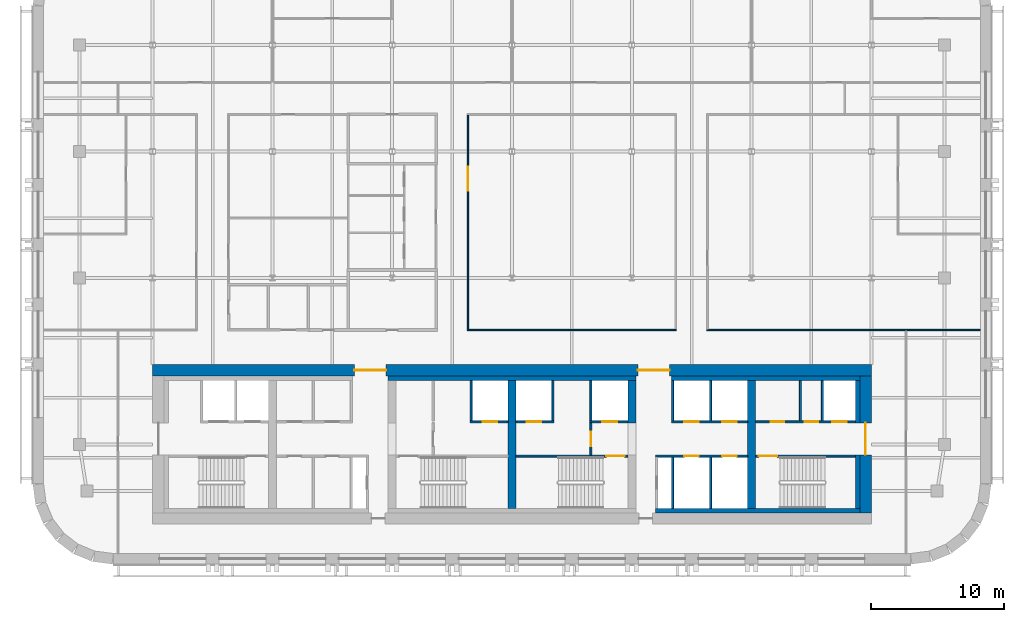
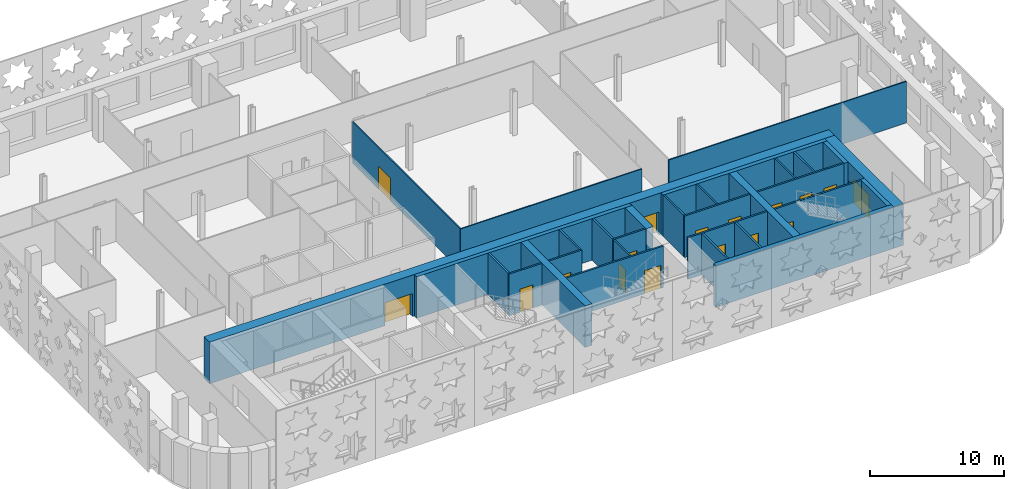
# One storey, part 5 of 13: 31 walls, 17 doors, 17 openings.
"""IFC4 building model written with IfcOpenShell, lengths in metres."""

from ifc_helpers import new_model, si_unit, direction, frame, frame_2d, origin, place, context, subcontext, project, spatial, rectangle, extrude, material, layer, layer_set, type_object, element, fill, save


model = new_model("IFC4")

# Units and contexts
model_context = context("Model", 3, precision=1e-05, world=origin(), true_north=direction((0.0, 1.0)))
body_context = subcontext(model_context, "Body", "Model", "MODEL_VIEW")
ifc_project = project(units=[si_unit("LENGTHUNIT", "METRE"), si_unit("AREAUNIT", "SQUARE_METRE"), si_unit("VOLUMEUNIT", "CUBIC_METRE"), si_unit("PLANEANGLEUNIT", "RADIAN"), si_unit("MASSUNIT", "GRAM", prefix="KILO")], contexts=[model_context])

# Site, building, storey
site_placement = place(None, origin())
site = spatial("IfcSite", under=ifc_project, at=site_placement, CompositionType="ELEMENT")
building_placement = place(site_placement, origin())
building = spatial("IfcBuilding", under=site, at=building_placement, Name="Zellij Exchange Tower", CompositionType="ELEMENT")
storey_placement = place(building_placement, frame((0.0, 0.0, 172.5)))
storey = spatial("IfcBuildingStorey", under=building, at=storey_placement, Name="L39", CompositionType="ELEMENT", Elevation=172.5)

# Walls
ifc_material_1 = material(Name="Concrete C60/75", Category="concrete")
ifc_layer_1 = layer(ifc_material_1, 0.60009765625)
ifc_layer_set_1 = layer_set([ifc_layer_1], Name="Concrete C60/75")
wall_type_1 = type_object("IfcWallType", Name="CORE-CW 600 C60/75", PredefinedType="SHEAR", material=ifc_layer_set_1)
wall_1_placement = place(storey_placement, frame((0.0, -12.800048828125, 0.0), z_axis=(0.0, 0.0, 1.0), x_axis=(0.0, 1.0, 0.0)))
element("IfcWall", 1, at=wall_1_placement, inside=storey, type_object=wall_type_1, Name="Core cross wall x 0 L39", PredefinedType="SHEAR", context=body_context, shape_type="SweptSolid", body=[
    extrude(rectangle(XDim=9.60009765625, YDim=0.60009765625, at=frame_2d((4.800048828125, 0.0))), origin(), (0.0, 0.0, 1.0), 3.800048828125),
])
wall_2_placement = place(storey_placement, frame((9.0, -6.375, 0.0), z_axis=(0.0, 0.0, 1.0), x_axis=(0.0, 1.0, 0.0)))
element("IfcWall", 2, at=wall_2_placement, inside=storey, type_object=wall_type_1, Name="Core cross wall pier x 9 b L39", PredefinedType="SHEAR", context=body_context, shape_type="SweptSolid", body=[
    extrude(rectangle(XDim=3.175048828125, YDim=0.60009765625, at=frame_2d((1.58740234375, 0.0))), origin(), (0.0, 0.0, 1.0), 3.800048828125),
])
wall_3_placement = place(storey_placement, frame((18.0, -12.800048828125, 0.0), z_axis=(0.0, 0.0, 1.0), x_axis=(0.0, 1.0, 0.0)))
element("IfcWall", 3, at=wall_3_placement, inside=storey, type_object=wall_type_1, Name="Core cross wall x 18 L39", PredefinedType="SHEAR", context=body_context, shape_type="SweptSolid", body=[
    extrude(rectangle(XDim=9.60009765625, YDim=0.60009765625, at=frame_2d((4.800048828125, 0.0))), origin(), (0.0, 0.0, 1.0), 3.800048828125),
])
ifc_material_2 = material(Name="Concrete C30/37", Category="concrete")
ifc_layer_2 = layer(ifc_material_2, 0.35009765625)
ifc_layer_set_2 = layer_set([ifc_layer_2], Name="Concrete C30/37")
wall_type_2 = type_object("IfcWallType", Name="CORE-LW 350 C30/37", PredefinedType="SHEAR", material=ifc_layer_set_2)
wall_4_placement = place(storey_placement, frame((-9.300048828125, -3.02490234375, 0.0), z_axis=(0.0, 0.0, 1.0), x_axis=(1.0, 0.0, 0.0)))
element("IfcWall", 4, at=wall_4_placement, inside=storey, type_object=wall_type_2, Name="Core wall lining front.1 L39", PredefinedType="SHEAR", context=body_context, shape_type="SweptSolid", body=[
    extrude(rectangle(XDim=18.60009765625, YDim=0.35009765625, at=frame_2d((9.300048828125, 0.0))), origin(), (0.0, 0.0, 1.0), 3.800048828125),
])
wall_5_placement = place(storey_placement, frame((12.0, -3.02490234375, 0.0), z_axis=(0.0, 0.0, 1.0), x_axis=(1.0, 0.0, 0.0)))
element("IfcWall", 5, at=wall_5_placement, inside=storey, type_object=wall_type_2, Name="Core wall lining front.2 L39", PredefinedType="SHEAR", context=body_context, shape_type="SweptSolid", body=[
    extrude(rectangle(XDim=14.14990234375, YDim=0.35009765625, at=frame_2d((7.074951171875, 0.0))), origin(), (0.0, 0.0, 1.0), 3.800048828125),
])
wall_6_placement = place(storey_placement, frame((10.800048828125, -12.97509765625, 0.0), z_axis=(0.0, 0.0, 1.0), x_axis=(1.0, 0.0, 0.0)))
element("IfcWall", 6, at=wall_6_placement, inside=storey, type_object=wall_type_2, Name="Core wall lining rear.2 L39", PredefinedType="SHEAR", context=body_context, shape_type="SweptSolid", body=[
    extrude(rectangle(XDim=15.349853515625, YDim=0.35009765625, at=frame_2d((7.6748046875, 0.0))), origin(), (0.0, 0.0, 1.0), 3.800048828125),
])
wall_7_placement = place(storey_placement, frame((25.97509765625, -12.800048828125, 0.0), z_axis=(0.0, 0.0, 1.0), x_axis=(0.0, 1.0, 0.0)))
element("IfcWall", 7, at=wall_7_placement, inside=storey, type_object=wall_type_2, Name="Core wall lining end e.0 L39", PredefinedType="SHEAR", context=body_context, shape_type="SweptSolid", body=[
    extrude(rectangle(XDim=4.0, YDim=0.35009765625, at=frame_2d((2.0, 0.0))), origin(), (0.0, 0.0, 1.0), 3.800048828125),
])
wall_8_placement = place(storey_placement, frame((25.97509765625, -6.375, 0.0), z_axis=(0.0, 0.0, 1.0), x_axis=(0.0, 1.0, 0.0)))
element("IfcWall", 8, at=wall_8_placement, inside=storey, type_object=wall_type_2, Name="Core wall lining end e.1 L39", PredefinedType="SHEAR", context=body_context, shape_type="SweptSolid", body=[
    extrude(rectangle(XDim=3.175048828125, YDim=0.35009765625, at=frame_2d((1.58740234375, 0.0))), origin(), (0.0, 0.0, 1.0), 3.800048828125),
])

# Wall, opening, door
ifc_material_3 = material(Name="Gypsum shaft wall system")
ifc_layer_3 = layer(ifc_material_3, 0.14990234375)
ifc_layer_set_3 = layer_set([ifc_layer_3], Name="Gypsum shaft wall system")
wall_type_3 = type_object("IfcWallType", Name="CORE-PW 150 Firefighting lobby wall", PredefinedType="PARTITIONING", material=ifc_layer_set_3)
wall_9_placement = place(storey_placement, frame((5.925048828125, -8.800048828125, 0.0), z_axis=(0.0, 0.0, 1.0), x_axis=(0.0, 1.0, 0.0)))
wall_9 = element("IfcWall", 9, at=wall_9_placement, inside=storey, type_object=wall_type_3, Name="Firefighting lobby wall L39", PredefinedType="PARTITIONING", context=body_context, shape_type="SweptSolid", body=[
    extrude(rectangle(XDim=2.425048828125, YDim=0.14990234375, at=frame_2d((1.21240234375, 0.0))), origin(), (0.0, 0.0, 1.0), 3.800048828125),
])
opening_1_placement = place(wall_9_placement, frame((0.662109375, 0.0, 0.0)))
opening_1 = element("IfcOpeningElement", 10, at=opening_1_placement, cuts=wall_9, Name="Opening CA-22.16", PredefinedType="OPENING", context=body_context, shape_type="SweptSolid", body=[
    extrude(rectangle(XDim=1.10009765625, YDim=2.10009765625, at=frame_2d((0.550048828125, 1.050048828125))), frame((0.0, 0.0869140625, 0.0), z_axis=(0.0, -1.0, 0.0), x_axis=(1.0, 0.0, 0.0)), (0.0, 0.0, 1.0), 0.173828125),
])
ifc_material_4 = material(Name="Hollow metal fire door")
door_type_1 = type_object("IfcDoorType", Name="CORE-D F Firefighting lobby door 1100x2100 1 HR", OperationType="NOTDEFINED", PredefinedType="DOOR", material=ifc_material_4)
door_1_placement = place(opening_1_placement, origin())
door_1 = element("IfcDoor", 11, at=door_1_placement, inside=storey, type_object=door_type_1, Name="Firefighting lobby door CA-22.16", OperationType="SINGLE_SWING_RIGHT", OverallHeight=2.10009765625, OverallWidth=1.10009765625, PredefinedType="DOOR", context=body_context, shape_type="SweptSolid", body=[
    extrude(rectangle(XDim=1.10009765625, YDim=2.10009765625, at=frame_2d((0.550048828125, 1.050048828125))), frame((0.0, 0.02490234375, 0.0), z_axis=(0.0, -1.0, 0.0), x_axis=(1.0, 0.0, 0.0)), (0.0, 0.0, 1.0), 0.050048828125),
])
fill(opening_1, door_1)

# Walls
ifc_material_5 = material(Name="Gypsum board partition")
ifc_layer_4 = layer(ifc_material_5, 0.14990234375)
ifc_layer_set_4 = layer_set([ifc_layer_4], Name="Gypsum board partition")
wall_type_4 = type_object("IfcWallType", Name="CORE-PW 150 Lift lobby wall", PredefinedType="PARTITIONING", material=ifc_layer_set_4)
wall_10_placement = place(storey_placement, frame((21.675048828125, -6.22509765625, 0.0), z_axis=(0.0, 0.0, 1.0), x_axis=(0.0, 1.0, 0.0)))
element("IfcWall", 12, at=wall_10_placement, inside=storey, type_object=wall_type_4, Name="Lift lobby wall L39", PredefinedType="PARTITIONING", context=body_context, shape_type="SweptSolid", body=[
    extrude(rectangle(XDim=3.025146484375, YDim=0.14990234375, at=frame_2d((1.5126953125, 0.0))), origin(), (0.0, 0.0, 1.0), 3.800048828125),
])
ifc_layer_5 = layer(ifc_material_3, 0.14990234375)
ifc_layer_set_5 = layer_set([ifc_layer_5], Name="Gypsum shaft wall system")
wall_type_5 = type_object("IfcWallType", Name="CORE-PW 150 Lift shaft wall", PredefinedType="PARTITIONING", material=ifc_layer_set_5)
for number, where, z_axis, x_axis, name in (
    (13, (-3.074951171875, -6.22509765625, 0.0), (0.0, 0.0, 1.0), (0.0, 1.0, 0.0), "Lift shaft wall L39"),
    (14, (3.074951171875, -6.22509765625, 0.0), (0.0, 0.0, 1.0), (0.0, 1.0, 0.0), "Lift shaft wall L39"),
    (15, (5.925048828125, -6.22509765625, 0.0), (0.0, 0.0, 1.0), (0.0, 1.0, 0.0), "Lift shaft wall L39"),
    (16, (12.074951171875, -6.22509765625, 0.0), (0.0, 0.0, 1.0), (0.0, 1.0, 0.0), "Lift shaft wall L39"),
    (17, (14.925048828125, -6.22509765625, 0.0), (0.0, 0.0, 1.0), (0.0, 1.0, 0.0), "Lift shaft wall L39"),
    (18, (23.324951171875, -6.22509765625, 0.0), (0.0, 0.0, 1.0), (0.0, 1.0, 0.0), "Lift shaft wall L39"),
):
    element("IfcWall", number, at=place(storey_placement, frame(where, z_axis=z_axis, x_axis=x_axis)), inside=storey, type_object=wall_type_5, Name=name, PredefinedType="PARTITIONING", context=body_context, shape_type="SweptSolid", body=[
        extrude(rectangle(XDim=3.025146484375, YDim=0.14990234375, at=frame_2d((1.5126953125, 0.0))), origin(), (0.0, 0.0, 1.0), 3.800048828125),
    ])
for number, where, z_axis, x_axis, name in (
    (19, (12.074951171875, -12.800048828125, 0.0), (0.0, 0.0, 1.0), (0.0, 1.0, 0.0), "Lift shaft wall L39"),
    (20, (14.925048828125, -12.800048828125, 0.0), (0.0, 0.0, 1.0), (0.0, 1.0, 0.0), "Lift shaft wall L39"),
):
    element("IfcWall", number, at=place(storey_placement, frame(where, z_axis=z_axis, x_axis=x_axis)), inside=storey, type_object=wall_type_5, Name=name, PredefinedType="PARTITIONING", context=body_context, shape_type="SweptSolid", body=[
        extrude(rectangle(XDim=3.85009765625, YDim=0.14990234375, at=frame_2d((1.925048828125, 0.0))), origin(), (0.0, 0.0, 1.0), 3.800048828125),
    ])

# Wall, opening, door
wall_11_placement = place(storey_placement, frame((-3.14990234375, -6.300048828125, 0.0), z_axis=(0.0, 0.0, 1.0), x_axis=(1.0, 0.0, 0.0)))
wall_11 = element("IfcWall", 21, at=wall_11_placement, inside=storey, type_object=wall_type_5, Name="Lift shaft wall L39", PredefinedType="PARTITIONING", context=body_context, shape_type="SweptSolid", body=[
    extrude(rectangle(XDim=2.849853515625, YDim=0.14990234375, at=frame_2d((1.4248046875, 0.0))), origin(), (0.0, 0.0, 1.0), 3.800048828125),
])
opening_2_placement = place(wall_11_placement, frame((0.949951171875, 0.0, 0.0)))
opening_2 = element("IfcOpeningElement", 22, at=opening_2_placement, cuts=wall_11, Name="Opening CA-22.14", PredefinedType="OPENING", context=body_context, shape_type="SweptSolid", body=[
    extrude(rectangle(XDim=1.10009765625, YDim=2.10009765625, at=frame_2d((0.550048828125, 1.050048828125))), frame((0.0, 0.0869140625, 0.0), z_axis=(0.0, -1.0, 0.0), x_axis=(1.0, 0.0, 0.0)), (0.0, 0.0, 1.0), 0.173828125),
])
door_type_2 = type_object("IfcDoorType", Name="CORE-D LD Lift landing door 1100x2100 1.5 HR", OperationType="NOTDEFINED", PredefinedType="DOOR", material=ifc_material_4)
door_2_placement = place(opening_2_placement, origin())
door_2 = element("IfcDoor", 23, at=door_2_placement, inside=storey, type_object=door_type_2, Name="Lift landing door CA-22.14", OperationType="SLIDING_TO_RIGHT", OverallHeight=2.10009765625, OverallWidth=1.10009765625, PredefinedType="DOOR", context=body_context, shape_type="SweptSolid", body=[
    extrude(rectangle(XDim=1.10009765625, YDim=2.10009765625, at=frame_2d((0.550048828125, 1.050048828125))), frame((0.0, 0.02490234375, 0.0), z_axis=(0.0, -1.0, 0.0), x_axis=(1.0, 0.0, 0.0)), (0.0, 0.0, 1.0), 0.050048828125),
])
fill(opening_2, door_2)

wall_12_placement = place(storey_placement, frame((0.300048828125, -6.300048828125, 0.0), z_axis=(0.0, 0.0, 1.0), x_axis=(1.0, 0.0, 0.0)))
wall_12 = element("IfcWall", 24, at=wall_12_placement, inside=storey, type_object=wall_type_5, Name="Lift shaft wall L39", PredefinedType="PARTITIONING", context=body_context, shape_type="SweptSolid", body=[
    extrude(rectangle(XDim=2.849853515625, YDim=0.14990234375, at=frame_2d((1.4248046875, 0.0))), origin(), (0.0, 0.0, 1.0), 3.800048828125),
])
opening_3_placement = place(wall_12_placement, frame((0.800048828125, 0.0, 0.0)))
opening_3 = element("IfcOpeningElement", 25, at=opening_3_placement, cuts=wall_12, Name="Opening CA-22.15", PredefinedType="OPENING", context=body_context, shape_type="SweptSolid", body=[
    extrude(rectangle(XDim=1.10009765625, YDim=2.10009765625, at=frame_2d((0.550048828125, 1.050048828125))), frame((0.0, 0.0869140625, 0.0), z_axis=(0.0, -1.0, 0.0), x_axis=(1.0, 0.0, 0.0)), (0.0, 0.0, 1.0), 0.173828125),
])
door_3_placement = place(opening_3_placement, origin())
door_3 = element("IfcDoor", 26, at=door_3_placement, inside=storey, type_object=door_type_2, Name="Lift landing door CA-22.15", OperationType="SLIDING_TO_LEFT", OverallHeight=2.10009765625, OverallWidth=1.10009765625, PredefinedType="DOOR", context=body_context, shape_type="SweptSolid", body=[
    extrude(rectangle(XDim=1.10009765625, YDim=2.10009765625, at=frame_2d((0.550048828125, 1.050048828125))), frame((0.0, 0.02490234375, 0.0), z_axis=(0.0, -1.0, 0.0), x_axis=(1.0, 0.0, 0.0)), (0.0, 0.0, 1.0), 0.050048828125),
])
fill(opening_3, door_3)

wall_13_placement = place(storey_placement, frame((5.85009765625, -6.300048828125, 0.0), z_axis=(0.0, 0.0, 1.0), x_axis=(1.0, 0.0, 0.0)))
wall_13 = element("IfcWall", 27, at=wall_13_placement, inside=storey, type_object=wall_type_5, Name="Lift shaft wall L39", PredefinedType="PARTITIONING", context=body_context, shape_type="SweptSolid", body=[
    extrude(rectangle(XDim=2.849853515625, YDim=0.14990234375, at=frame_2d((1.4248046875, 0.0))), origin(), (0.0, 0.0, 1.0), 3.800048828125),
])
opening_4_placement = place(wall_13_placement, frame((0.949951171875, 0.0, 0.0)))
opening_4 = element("IfcOpeningElement", 28, at=opening_4_placement, cuts=wall_13, Name="Opening CA-22.17", PredefinedType="OPENING", context=body_context, shape_type="SweptSolid", body=[
    extrude(rectangle(XDim=1.10009765625, YDim=2.10009765625, at=frame_2d((0.550048828125, 1.050048828125))), frame((0.0, 0.0869140625, 0.0), z_axis=(0.0, -1.0, 0.0), x_axis=(1.0, 0.0, 0.0)), (0.0, 0.0, 1.0), 0.173828125),
])
door_4_placement = place(opening_4_placement, origin())
door_4 = element("IfcDoor", 29, at=door_4_placement, inside=storey, type_object=door_type_2, Name="Lift landing door CA-22.17", OperationType="SLIDING_TO_LEFT", OverallHeight=2.10009765625, OverallWidth=1.10009765625, PredefinedType="DOOR", context=body_context, shape_type="SweptSolid", body=[
    extrude(rectangle(XDim=1.10009765625, YDim=2.10009765625, at=frame_2d((0.550048828125, 1.050048828125))), frame((0.0, 0.02490234375, 0.0), z_axis=(0.0, -1.0, 0.0), x_axis=(1.0, 0.0, 0.0)), (0.0, 0.0, 1.0), 0.050048828125),
])
fill(opening_4, door_4)

# Wall, openings, doors
wall_14_placement = place(storey_placement, frame((12.0, -6.300048828125, 0.0), z_axis=(0.0, 0.0, 1.0), x_axis=(1.0, 0.0, 0.0)))
wall_14 = element("IfcWall", 30, at=wall_14_placement, inside=storey, type_object=wall_type_5, Name="Lift shaft wall L39", PredefinedType="PARTITIONING", context=body_context, shape_type="SweptSolid", body=[
    extrude(rectangle(XDim=5.699951171875, YDim=0.14990234375, at=frame_2d((2.85009765625, 0.0))), origin(), (0.0, 0.0, 1.0), 3.800048828125),
])
opening_5_placement = place(wall_14_placement, frame((0.949951171875, 0.0, 0.0)))
opening_5 = element("IfcOpeningElement", 31, at=opening_5_placement, cuts=wall_14, Name="Opening CA-22.23", PredefinedType="OPENING", context=body_context, shape_type="SweptSolid", body=[
    extrude(rectangle(XDim=1.10009765625, YDim=2.10009765625, at=frame_2d((0.550048828125, 1.050048828125))), frame((0.0, 0.0869140625, 0.0), z_axis=(0.0, -1.0, 0.0), x_axis=(1.0, 0.0, 0.0)), (0.0, 0.0, 1.0), 0.173828125),
])
opening_6_placement = place(wall_14_placement, frame((3.800048828125, 0.0, 0.0)))
opening_6 = element("IfcOpeningElement", 32, at=opening_6_placement, cuts=wall_14, Name="Opening CA-22.25", PredefinedType="OPENING", context=body_context, shape_type="SweptSolid", body=[
    extrude(rectangle(XDim=1.10009765625, YDim=2.10009765625, at=frame_2d((0.550048828125, 1.050048828125))), frame((0.0, 0.0869140625, 0.0), z_axis=(0.0, -1.0, 0.0), x_axis=(1.0, 0.0, 0.0)), (0.0, 0.0, 1.0), 0.173828125),
])
door_5_placement = place(opening_5_placement, origin())
door_5 = element("IfcDoor", 33, at=door_5_placement, inside=storey, type_object=door_type_2, Name="Lift landing door CA-22.23", OperationType="SLIDING_TO_LEFT", OverallHeight=2.10009765625, OverallWidth=1.10009765625, PredefinedType="DOOR", context=body_context, shape_type="SweptSolid", body=[
    extrude(rectangle(XDim=1.10009765625, YDim=2.10009765625, at=frame_2d((0.550048828125, 1.050048828125))), frame((0.0, 0.02490234375, 0.0), z_axis=(0.0, -1.0, 0.0), x_axis=(1.0, 0.0, 0.0)), (0.0, 0.0, 1.0), 0.050048828125),
])
fill(opening_5, door_5)
door_6_placement = place(opening_6_placement, origin())
door_6 = element("IfcDoor", 34, at=door_6_placement, inside=storey, type_object=door_type_2, Name="Lift landing door CA-22.25", OperationType="SLIDING_TO_LEFT", OverallHeight=2.10009765625, OverallWidth=1.10009765625, PredefinedType="DOOR", context=body_context, shape_type="SweptSolid", body=[
    extrude(rectangle(XDim=1.10009765625, YDim=2.10009765625, at=frame_2d((0.550048828125, 1.050048828125))), frame((0.0, 0.02490234375, 0.0), z_axis=(0.0, -1.0, 0.0), x_axis=(1.0, 0.0, 0.0)), (0.0, 0.0, 1.0), 0.050048828125),
])
fill(opening_6, door_6)

wall_15_placement = place(storey_placement, frame((18.300048828125, -6.300048828125, 0.0), z_axis=(0.0, 0.0, 1.0), x_axis=(1.0, 0.0, 0.0)))
wall_15 = element("IfcWall", 35, at=wall_15_placement, inside=storey, type_object=wall_type_5, Name="Lift shaft wall L39", PredefinedType="PARTITIONING", context=body_context, shape_type="SweptSolid", body=[
    extrude(rectangle(XDim=7.5, YDim=0.14990234375, at=frame_2d((3.75, 0.0))), origin(), (0.0, 0.0, 1.0), 3.800048828125),
])
opening_7_placement = place(wall_15_placement, frame((1.14990234375, 0.0, 0.0)))
opening_7 = element("IfcOpeningElement", 36, at=opening_7_placement, cuts=wall_15, Name="Opening CA-22.27", PredefinedType="OPENING", context=body_context, shape_type="SweptSolid", body=[
    extrude(rectangle(XDim=1.0, YDim=2.10009765625, at=frame_2d((0.5, 1.050048828125))), frame((0.0, 0.0869140625, 0.0), z_axis=(0.0, -1.0, 0.0), x_axis=(1.0, 0.0, 0.0)), (0.0, 0.0, 1.0), 0.173828125),
])
opening_8_placement = place(wall_15_placement, frame((3.699951171875, 0.0, 0.0)))
opening_8 = element("IfcOpeningElement", 37, at=opening_8_placement, cuts=wall_15, Name="Opening CA-22.28", PredefinedType="OPENING", context=body_context, shape_type="SweptSolid", body=[
    extrude(rectangle(XDim=1.0, YDim=2.10009765625, at=frame_2d((0.5, 1.050048828125))), frame((0.0, 0.0869140625, 0.0), z_axis=(0.0, -1.0, 0.0), x_axis=(1.0, 0.0, 0.0)), (0.0, 0.0, 1.0), 0.173828125),
])
opening_9_placement = place(wall_15_placement, frame((5.75, 0.0, 0.0)))
opening_9 = element("IfcOpeningElement", 38, at=opening_9_placement, cuts=wall_15, Name="Opening CA-22.29", PredefinedType="OPENING", context=body_context, shape_type="SweptSolid", body=[
    extrude(rectangle(XDim=1.10009765625, YDim=2.10009765625, at=frame_2d((0.550048828125, 1.050048828125))), frame((0.0, 0.0869140625, 0.0), z_axis=(0.0, -1.0, 0.0), x_axis=(1.0, 0.0, 0.0)), (0.0, 0.0, 1.0), 0.173828125),
])
door_type_3 = type_object("IfcDoorType", Name="CORE-D CD Core room door 1000x2100 1 HR", OperationType="NOTDEFINED", PredefinedType="DOOR", material=ifc_material_4)
door_7_placement = place(opening_7_placement, origin())
door_7 = element("IfcDoor", 39, at=door_7_placement, inside=storey, type_object=door_type_3, Name="Core room door CA-22.27", OperationType="SINGLE_SWING_LEFT", OverallHeight=2.10009765625, OverallWidth=1.0, PredefinedType="DOOR", context=body_context, shape_type="SweptSolid", body=[
    extrude(rectangle(XDim=1.0, YDim=2.10009765625, at=frame_2d((0.5, 1.050048828125))), frame((0.0, 0.02490234375, 0.0), z_axis=(0.0, -1.0, 0.0), x_axis=(1.0, 0.0, 0.0)), (0.0, 0.0, 1.0), 0.050048828125),
])
fill(opening_7, door_7)
door_8_placement = place(opening_8_placement, origin())
door_8 = element("IfcDoor", 40, at=door_8_placement, inside=storey, type_object=door_type_3, Name="Core room door CA-22.28", OperationType="SINGLE_SWING_RIGHT", OverallHeight=2.10009765625, OverallWidth=1.0, PredefinedType="DOOR", context=body_context, shape_type="SweptSolid", body=[
    extrude(rectangle(XDim=1.0, YDim=2.10009765625, at=frame_2d((0.5, 1.050048828125))), frame((0.0, 0.02490234375, 0.0), z_axis=(0.0, -1.0, 0.0), x_axis=(1.0, 0.0, 0.0)), (0.0, 0.0, 1.0), 0.050048828125),
])
fill(opening_8, door_8)
door_9_placement = place(opening_9_placement, origin())
door_9 = element("IfcDoor", 41, at=door_9_placement, inside=storey, type_object=door_type_2, Name="Lift landing door CA-22.29", OperationType="SLIDING_TO_LEFT", OverallHeight=2.10009765625, OverallWidth=1.10009765625, PredefinedType="DOOR", context=body_context, shape_type="SweptSolid", body=[
    extrude(rectangle(XDim=1.10009765625, YDim=2.10009765625, at=frame_2d((0.550048828125, 1.050048828125))), frame((0.0, 0.02490234375, 0.0), z_axis=(0.0, -1.0, 0.0), x_axis=(1.0, 0.0, 0.0)), (0.0, 0.0, 1.0), 0.050048828125),
])
fill(opening_9, door_9)

wall_16_placement = place(storey_placement, frame((10.800048828125, -8.875, 0.0), z_axis=(0.0, 0.0, 1.0), x_axis=(1.0, 0.0, 0.0)))
wall_16 = element("IfcWall", 42, at=wall_16_placement, inside=storey, type_object=wall_type_5, Name="Lift shaft wall L39", PredefinedType="PARTITIONING", context=body_context, shape_type="SweptSolid", body=[
    extrude(rectangle(XDim=6.89990234375, YDim=0.14990234375, at=frame_2d((3.449951171875, 0.0))), origin(), (0.0, 0.0, 1.0), 3.800048828125),
])
opening_10_placement = place(wall_16_placement, frame((2.14990234375, 0.0, 0.0)))
opening_10 = element("IfcOpeningElement", 43, at=opening_10_placement, cuts=wall_16, Name="Opening CA-22.22", PredefinedType="OPENING", context=body_context, shape_type="SweptSolid", body=[
    extrude(rectangle(XDim=1.10009765625, YDim=2.10009765625, at=frame_2d((0.550048828125, 1.050048828125))), frame((0.0, 0.0869140625, 0.0), z_axis=(0.0, -1.0, 0.0), x_axis=(1.0, 0.0, 0.0)), (0.0, 0.0, 1.0), 0.173828125),
])
opening_11_placement = place(wall_16_placement, frame((5.0, 0.0, 0.0)))
opening_11 = element("IfcOpeningElement", 44, at=opening_11_placement, cuts=wall_16, Name="Opening CA-22.24", PredefinedType="OPENING", context=body_context, shape_type="SweptSolid", body=[
    extrude(rectangle(XDim=1.10009765625, YDim=2.10009765625, at=frame_2d((0.550048828125, 1.050048828125))), frame((0.0, 0.0869140625, 0.0), z_axis=(0.0, -1.0, 0.0), x_axis=(1.0, 0.0, 0.0)), (0.0, 0.0, 1.0), 0.173828125),
])
door_10_placement = place(opening_10_placement, origin())
door_10 = element("IfcDoor", 45, at=door_10_placement, inside=storey, type_object=door_type_2, Name="Lift landing door CA-22.22", OperationType="SLIDING_TO_RIGHT", OverallHeight=2.10009765625, OverallWidth=1.10009765625, PredefinedType="DOOR", context=body_context, shape_type="SweptSolid", body=[
    extrude(rectangle(XDim=1.10009765625, YDim=2.10009765625, at=frame_2d((0.550048828125, 1.050048828125))), frame((0.0, 0.02490234375, 0.0), z_axis=(0.0, -1.0, 0.0), x_axis=(1.0, 0.0, 0.0)), (0.0, 0.0, 1.0), 0.050048828125),
])
fill(opening_10, door_10)
door_11_placement = place(opening_11_placement, origin())
door_11 = element("IfcDoor", 46, at=door_11_placement, inside=storey, type_object=door_type_2, Name="Lift landing door CA-22.24", OperationType="SLIDING_TO_RIGHT", OverallHeight=2.10009765625, OverallWidth=1.10009765625, PredefinedType="DOOR", context=body_context, shape_type="SweptSolid", body=[
    extrude(rectangle(XDim=1.10009765625, YDim=2.10009765625, at=frame_2d((0.550048828125, 1.050048828125))), frame((0.0, 0.02490234375, 0.0), z_axis=(0.0, -1.0, 0.0), x_axis=(1.0, 0.0, 0.0)), (0.0, 0.0, 1.0), 0.050048828125),
])
fill(opening_11, door_11)

ifc_layer_6 = layer(ifc_material_1, 0.85009765625)
ifc_layer_set_6 = layer_set([ifc_layer_6], Name="Concrete C60/75")
wall_type_6 = type_object("IfcWallType", Name="CORE-SW 850 C60/75", PredefinedType="SHEAR", material=ifc_layer_set_6)
wall_17_placement = place(storey_placement, frame((-27.0, -2.425048828125, 0.0), z_axis=(0.0, 0.0, 1.0), x_axis=(1.0, 0.0, 0.0)))
wall_17 = element("IfcWall", 47, at=wall_17_placement, inside=storey, type_object=wall_type_6, Name="Core shear wall front L39", PredefinedType="SHEAR", context=body_context, shape_type="SweptSolid", body=[
    extrude(rectangle(XDim=54.0, YDim=0.85009765625, at=frame_2d((27.0, 0.0))), origin(), (0.0, 0.0, 1.0), 3.800048828125),
])
opening_12_placement = place(wall_17_placement, frame((15.14990234375, 0.0, 0.0)))
opening_12 = element("IfcOpeningElement", 48, at=opening_12_placement, cuts=wall_17, Name="Opening CA-22.10", PredefinedType="OPENING", context=body_context, shape_type="SweptSolid", body=[
    extrude(rectangle(XDim=2.39990234375, YDim=2.10009765625, at=frame_2d((1.199951171875, 1.050048828125))), frame((0.0, 0.43701171875, 0.0), z_axis=(0.0, -1.0, 0.0), x_axis=(1.0, 0.0, 0.0)), (0.0, 0.0, 1.0), 0.8740234375),
])
opening_13_placement = place(wall_17_placement, frame((36.449951171875, 0.0, 0.0)))
opening_13 = element("IfcOpeningElement", 49, at=opening_13_placement, cuts=wall_17, Name="Opening CA-22.20", PredefinedType="OPENING", context=body_context, shape_type="SweptSolid", body=[
    extrude(rectangle(XDim=2.39990234375, YDim=2.10009765625, at=frame_2d((1.199951171875, 1.050048828125))), frame((0.0, 0.43701171875, 0.0), z_axis=(0.0, -1.0, 0.0), x_axis=(1.0, 0.0, 0.0)), (0.0, 0.0, 1.0), 0.8740234375),
])
door_type_4 = type_object("IfcDoorType", Name="CORE-D CE Core entrance door 2400x2100 20 MIN", OperationType="NOTDEFINED", PredefinedType="DOOR", material=ifc_material_4)
door_12_placement = place(opening_12_placement, origin())
door_12 = element("IfcDoor", 50, at=door_12_placement, inside=storey, type_object=door_type_4, Name="Core entrance door CA-22.10", OperationType="DOUBLE_DOOR_SINGLE_SWING", OverallHeight=2.10009765625, OverallWidth=2.39990234375, PredefinedType="DOOR", context=body_context, shape_type="SweptSolid", body=[
    extrude(rectangle(XDim=2.39990234375, YDim=2.10009765625, at=frame_2d((1.199951171875, 1.050048828125))), frame((0.0, 0.02490234375, 0.0), z_axis=(0.0, -1.0, 0.0), x_axis=(1.0, 0.0, 0.0)), (0.0, 0.0, 1.0), 0.050048828125),
])
fill(opening_12, door_12)
door_13_placement = place(opening_13_placement, origin())
door_13 = element("IfcDoor", 51, at=door_13_placement, inside=storey, type_object=door_type_4, Name="Core entrance door CA-22.20", OperationType="DOUBLE_DOOR_SINGLE_SWING", OverallHeight=2.10009765625, OverallWidth=2.39990234375, PredefinedType="DOOR", context=body_context, shape_type="SweptSolid", body=[
    extrude(rectangle(XDim=2.39990234375, YDim=2.10009765625, at=frame_2d((1.199951171875, 1.050048828125))), frame((0.0, 0.02490234375, 0.0), z_axis=(0.0, -1.0, 0.0), x_axis=(1.0, 0.0, 0.0)), (0.0, 0.0, 1.0), 0.050048828125),
])
fill(opening_13, door_13)

# Wall, opening, door
wall_18_placement = place(storey_placement, frame((26.574951171875, -13.14990234375, 0.0), z_axis=(0.0, 0.0, 1.0), x_axis=(0.0, 1.0, 0.0)))
wall_18 = element("IfcWall", 52, at=wall_18_placement, inside=storey, type_object=wall_type_6, Name="Core shear wall end e L39", PredefinedType="SHEAR", context=body_context, shape_type="SweptSolid", body=[
    extrude(rectangle(XDim=10.2998046875, YDim=0.85009765625, at=frame_2d((5.14990234375, 0.0))), origin(), (0.0, 0.0, 1.0), 3.800048828125),
])
opening_14_placement = place(wall_18_placement, frame((4.362060546875, 0.0, 0.0)))
opening_14 = element("IfcOpeningElement", 53, at=opening_14_placement, cuts=wall_18, Name="Opening CA-22.30", PredefinedType="OPENING", context=body_context, shape_type="SweptSolid", body=[
    extrude(rectangle(XDim=2.39990234375, YDim=2.10009765625, at=frame_2d((1.199951171875, 1.050048828125))), frame((0.0, 0.43701171875, 0.0), z_axis=(0.0, -1.0, 0.0), x_axis=(1.0, 0.0, 0.0)), (0.0, 0.0, 1.0), 0.8740234375),
])
door_14_placement = place(opening_14_placement, origin())
door_14 = element("IfcDoor", 54, at=door_14_placement, inside=storey, type_object=door_type_4, Name="Core entrance door CA-22.30", OperationType="DOUBLE_DOOR_SINGLE_SWING", OverallHeight=2.10009765625, OverallWidth=2.39990234375, PredefinedType="DOOR", context=body_context, shape_type="SweptSolid", body=[
    extrude(rectangle(XDim=2.39990234375, YDim=2.10009765625, at=frame_2d((1.199951171875, 1.050048828125))), frame((0.0, 0.02490234375, 0.0), z_axis=(0.0, -1.0, 0.0), x_axis=(1.0, 0.0, 0.0)), (0.0, 0.0, 1.0), 0.050048828125),
])
fill(opening_14, door_14)

ifc_layer_7 = layer(ifc_material_1, 0.14990234375)
ifc_layer_set_7 = layer_set([ifc_layer_7], Name="Concrete C60/75")
wall_type_7 = type_object("IfcWallType", Name="CORE-SWS 150 C60/75", PredefinedType="SHEAR", material=ifc_layer_set_7)
wall_19_placement = place(storey_placement, frame((0.300048828125, -8.875, 0.0), z_axis=(0.0, 0.0, 1.0), x_axis=(1.0, 0.0, 0.0)))
wall_19 = element("IfcWall", 55, at=wall_19_placement, inside=storey, type_object=wall_type_7, Name="Stair enclosure wall L39", PredefinedType="SHEAR", context=body_context, shape_type="SweptSolid", body=[
    extrude(rectangle(XDim=8.39990234375, YDim=0.14990234375, at=frame_2d((4.199951171875, 0.0))), origin(), (0.0, 0.0, 1.0), 3.800048828125),
])
opening_15_placement = place(wall_19_placement, frame((6.77490234375, 0.0, 0.0)))
opening_15 = element("IfcOpeningElement", 56, at=opening_15_placement, cuts=wall_19, Name="Opening CA-22.18", PredefinedType="OPENING", context=body_context, shape_type="SweptSolid", body=[
    extrude(rectangle(XDim=1.39990234375, YDim=2.10009765625, at=frame_2d((0.699951171875, 1.050048828125))), frame((0.0, 0.0869140625, 0.0), z_axis=(0.0, -1.0, 0.0), x_axis=(1.0, 0.0, 0.0)), (0.0, 0.0, 1.0), 0.173828125),
])
door_type_5 = type_object("IfcDoorType", Name="CORE-D SD Stair door 1400x2100 1.5 HR", OperationType="NOTDEFINED", PredefinedType="DOOR", material=ifc_material_4)
door_15_placement = place(opening_15_placement, origin())
door_15 = element("IfcDoor", 57, at=door_15_placement, inside=storey, type_object=door_type_5, Name="Stair door CA-22.18", OperationType="DOUBLE_DOOR_SINGLE_SWING", OverallHeight=2.10009765625, OverallWidth=1.39990234375, PredefinedType="DOOR", context=body_context, shape_type="SweptSolid", body=[
    extrude(rectangle(XDim=1.39990234375, YDim=2.10009765625, at=frame_2d((0.699951171875, 1.050048828125))), frame((0.0, 0.02490234375, 0.0), z_axis=(0.0, -1.0, 0.0), x_axis=(1.0, 0.0, 0.0)), (0.0, 0.0, 1.0), 0.050048828125),
])
fill(opening_15, door_15)

wall_20_placement = place(storey_placement, frame((18.300048828125, -8.875, 0.0), z_axis=(0.0, 0.0, 1.0), x_axis=(1.0, 0.0, 0.0)))
wall_20 = element("IfcWall", 58, at=wall_20_placement, inside=storey, type_object=wall_type_7, Name="Stair enclosure wall L39", PredefinedType="SHEAR", context=body_context, shape_type="SweptSolid", body=[
    extrude(rectangle(XDim=7.5, YDim=0.14990234375, at=frame_2d((3.75, 0.0))), origin(), (0.0, 0.0, 1.0), 3.800048828125),
])
opening_16_placement = place(wall_20_placement, frame((0.22509765625, 0.0, 0.0)))
opening_16 = element("IfcOpeningElement", 59, at=opening_16_placement, cuts=wall_20, Name="Opening CA-22.26", PredefinedType="OPENING", context=body_context, shape_type="SweptSolid", body=[
    extrude(rectangle(XDim=1.39990234375, YDim=2.10009765625, at=frame_2d((0.699951171875, 1.050048828125))), frame((0.0, 0.0869140625, 0.0), z_axis=(0.0, -1.0, 0.0), x_axis=(1.0, 0.0, 0.0)), (0.0, 0.0, 1.0), 0.173828125),
])
door_16_placement = place(opening_16_placement, origin())
door_16 = element("IfcDoor", 60, at=door_16_placement, inside=storey, type_object=door_type_5, Name="Stair door CA-22.26", OperationType="DOUBLE_DOOR_SINGLE_SWING", OverallHeight=2.10009765625, OverallWidth=1.39990234375, PredefinedType="DOOR", context=body_context, shape_type="SweptSolid", body=[
    extrude(rectangle(XDim=1.39990234375, YDim=2.10009765625, at=frame_2d((0.699951171875, 1.050048828125))), frame((0.0, 0.02490234375, 0.0), z_axis=(0.0, -1.0, 0.0), x_axis=(1.0, 0.0, 0.0)), (0.0, 0.0, 1.0), 0.050048828125),
])
fill(opening_16, door_16)

# Wall
ifc_material_6 = material(Name="Gypsum board partition on steel studs", Category="steel")
ifc_layer_8 = layer(ifc_material_6, 0.10009765625)
ifc_layer_set_8 = layer_set([ifc_layer_8], Name="Gypsum board partition on steel studs")
wall_type_8 = type_object("IfcWallType", Name="FIT-PARTITION-100", PredefinedType="PARTITIONING", material=ifc_layer_set_8)
wall_21_placement = place(storey_placement, frame((-3.35009765625, 0.60009765625, 0.0), z_axis=(0.0, 0.0, 1.0), x_axis=(1.0, 0.0, 0.0)))
element("IfcWall", 61, at=wall_21_placement, inside=storey, type_object=wall_type_8, Name="FIT-PARTITION-100 012", PredefinedType="PARTITIONING", context=body_context, shape_type="SweptSolid", body=[
    extrude(rectangle(XDim=15.7001953125, YDim=0.10009765625, at=frame_2d((7.85009765625, 0.0))), origin(), (0.0, 0.0, 1.0), 3.800048828125),
])

# Wall, opening, door
wall_22_placement = place(storey_placement, frame((-3.300048828125, 0.64990234375, 0.0), z_axis=(0.0, 0.0, 1.0), x_axis=(0.0, 1.0, 0.0)))
wall_22 = element("IfcWall", 62, at=wall_22_placement, inside=storey, type_object=wall_type_8, Name="FIT-PARTITION-100 013", PredefinedType="PARTITIONING", context=body_context, shape_type="SweptSolid", body=[
    extrude(rectangle(XDim=16.10009765625, YDim=0.10009765625, at=frame_2d((8.050048828125, 0.0))), origin(), (0.0, 0.0, 1.0), 3.800048828125),
])
opening_17_placement = place(wall_22_placement, frame((10.39990234375, 0.0, 0.0)))
opening_17 = element("IfcOpeningElement", 63, at=opening_17_placement, cuts=wall_22, Name="Opening O3A.14", PredefinedType="OPENING", context=body_context, shape_type="SweptSolid", body=[
    extrude(rectangle(XDim=1.800048828125, YDim=2.10009765625, at=frame_2d((0.89990234375, 1.050048828125))), frame((0.0, 0.06201171875, 0.0), z_axis=(0.0, -1.0, 0.0), x_axis=(1.0, 0.0, 0.0)), (0.0, 0.0, 1.0), 0.1240234375),
])
ifc_material_7 = material(Name="Timber door set", Category="wood")
door_type_6 = type_object("IfcDoorType", Name="FIT-D3-DOUBLE-1800X2100", OperationType="DOUBLE_DOOR_SINGLE_SWING", PredefinedType="DOOR", material=ifc_material_7)
door_17_placement = place(opening_17_placement, origin())
door_17 = element("IfcDoor", 64, at=door_17_placement, inside=storey, type_object=door_type_6, Name="Door O3A.14", OperationType="DOUBLE_DOOR_SINGLE_SWING", OverallHeight=2.10009765625, OverallWidth=1.800048828125, PredefinedType="DOOR", context=body_context, shape_type="SweptSolid", body=[
    extrude(rectangle(XDim=1.800048828125, YDim=2.10009765625, at=frame_2d((0.89990234375, 1.050048828125))), frame((0.0, 0.02490234375, 0.0), z_axis=(0.0, -1.0, 0.0), x_axis=(1.0, 0.0, 0.0)), (0.0, 0.0, 1.0), 0.050048828125),
])
fill(opening_17, door_17)

# Wall
wall_23_placement = place(storey_placement, frame((14.64990234375, 0.60009765625, 0.0), z_axis=(0.0, 0.0, 1.0), x_axis=(1.0, 0.0, 0.0)))
element("IfcWall", 65, at=wall_23_placement, inside=storey, type_object=wall_type_8, Name="FIT-PARTITION-100 015", PredefinedType="PARTITIONING", context=body_context, shape_type="SweptSolid", body=[
    extrude(rectangle(XDim=20.550048828125, YDim=0.10009765625, at=frame_2d((10.27490234375, 0.0))), origin(), (0.0, 0.0, 1.0), 3.800048828125),
])

save(model, "model.ifc")
